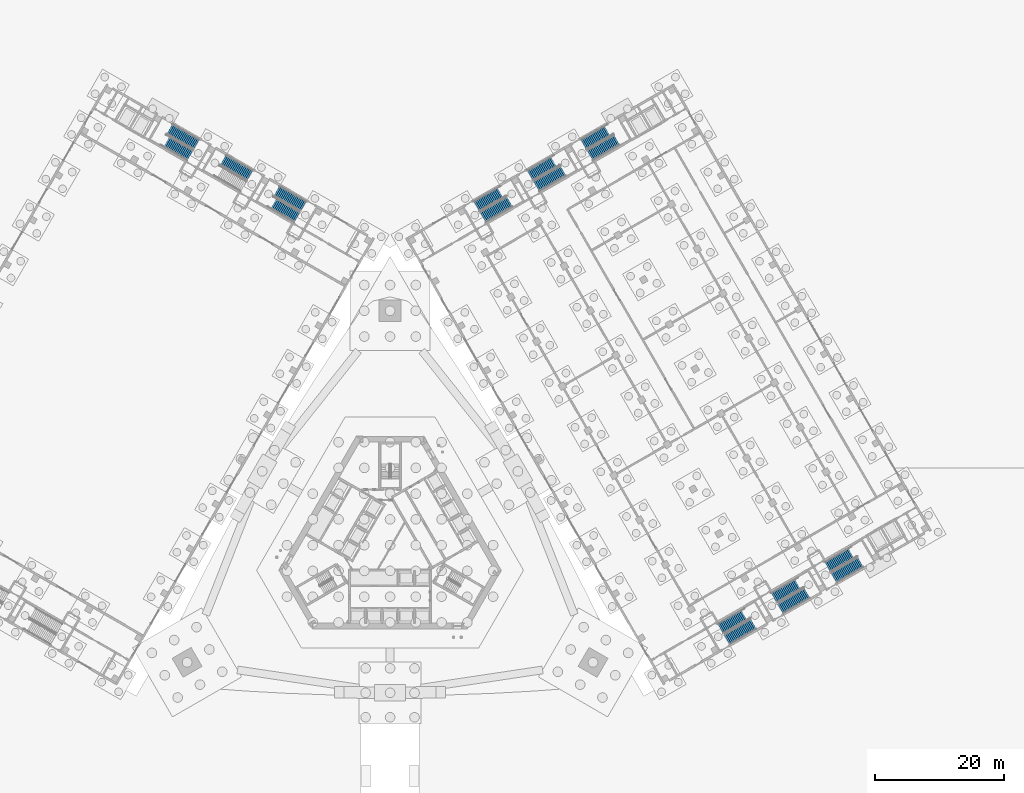
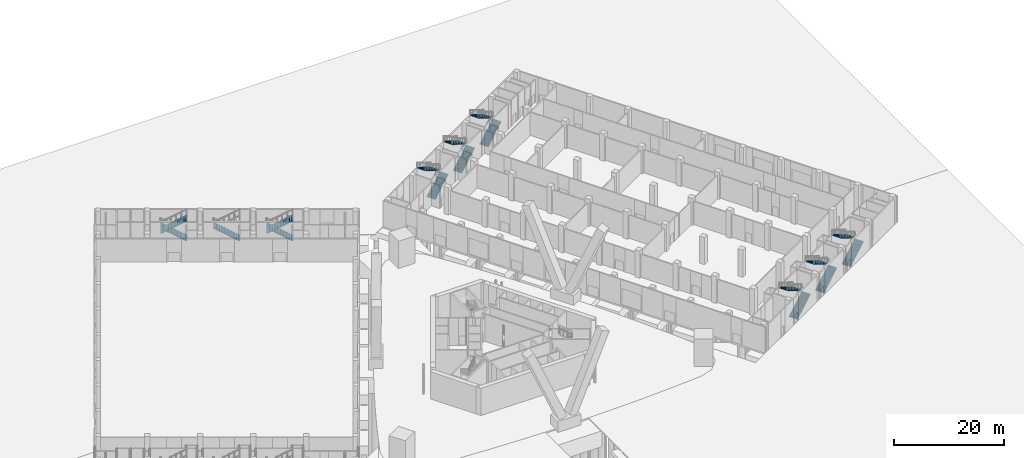
# One storey, part 27 of 38: 17 stair flights, 9 elements without a shape of their own.
"""IFC4 building model written with IfcOpenShell, lengths in metres."""

from ifc_helpers import new_model, si_unit, direction, frame, origin, place, context, subcontext, project, spatial, polyline, outline, extrude, material, type_object, element, aggregate, save


model = new_model("IFC4")

# Units and contexts
model_context = context("Model", 3, precision=1e-05, world=origin(), true_north=direction((0.0, 1.0)))
body_context = subcontext(model_context, "Body", "Model", "MODEL_VIEW")
ifc_project = project(units=[si_unit("LENGTHUNIT", "METRE"), si_unit("AREAUNIT", "SQUARE_METRE"), si_unit("VOLUMEUNIT", "CUBIC_METRE"), si_unit("PLANEANGLEUNIT", "RADIAN"), si_unit("MASSUNIT", "GRAM", prefix="KILO")], contexts=[model_context])

# Site, building, storey
site_placement = place(None, origin())
site = spatial("IfcSite", under=ifc_project, at=site_placement, CompositionType="ELEMENT")
building_placement = place(site_placement, origin())
building = spatial("IfcBuilding", under=site, at=building_placement, Name="Mestral Congress Tower", CompositionType="ELEMENT")
storey_placement = place(building_placement, origin())
storey = spatial("IfcBuildingStorey", under=building, at=storey_placement, Name="L00", CompositionType="ELEMENT", Elevation=0.0)

# Stair, stair flights
ifc_material = material(Name="Concrete C40/50", Category="concrete")
stair_type = type_object("IfcStairType", Name="Podium exit stair 1800", PredefinedType="HALF_TURN_STAIR", material=ifc_material)
placement = place(storey_placement, origin())
stair_1 = element("IfcStair", 1, at=placement, inside=storey, type_object=stair_type, Name="L00 Exit stair E1", PredefinedType="HALF_TURN_STAIR")
stair_flight_type = type_object("IfcStairFlightType", Name="Podium exit stair flight 1800", PredefinedType="STRAIGHT", material=ifc_material)
stair_flight_1_placement = place(storey_placement, frame((52.31494140625, -14.656005859375, 0.0), z_axis=(0.0, 0.0, 1.0), x_axis=(0.866025403784, 0.5, 0.0)))
stair_flight_1 = element("IfcStairFlight", 2, at=stair_flight_1_placement, type_object=stair_flight_type, Name="PS-E1 flight 1", NumberOfRisers=18, NumberOfTreads=17, PredefinedType="STRAIGHT", RiserHeight=0.166666667, TreadLength=0.28, context=body_context, shape_type="SweptSolid", body=[
    extrude(outline(polyline([(0.0, 0.0), (0.0, 0.166748046875), (0.280029296875, 0.166748046875), (0.280029296875, 0.333251953125), (0.56005859375, 0.333251953125), (0.56005859375, 0.5), (0.840087890625, 0.5), (0.840087890625, 0.666748046875), (1.1201171875, 0.666748046875), (1.1201171875, 0.833251953125), (1.39990234375, 0.833251953125), (1.39990234375, 1.0), (1.679931640625, 1.0), (1.679931640625, 1.166748046875), (1.9599609375, 1.166748046875), (1.9599609375, 1.333251953125), (2.239990234375, 1.333251953125), (2.239990234375, 1.5), (2.52001953125, 1.5), (2.52001953125, 1.666748046875), (2.800048828125, 1.666748046875), (2.800048828125, 1.833251953125), (3.080078125, 1.833251953125), (3.080078125, 2.0), (3.360107421875, 2.0), (3.360107421875, 2.166748046875), (3.639892578125, 2.166748046875), (3.639892578125, 2.333251953125), (3.919921875, 2.333251953125), (3.919921875, 2.5), (4.199951171875, 2.5), (4.199951171875, 2.666748046875), (4.47998046875, 2.666748046875), (4.47998046875, 2.833251953125), (4.760009765625, 2.833251953125), (4.760009765625, 3.0), (4.760009765625, 2.658935546875), (0.29296875, 0.0), (0.0, 0.0)])), frame((0.0, 0.89990234375, 0.0), z_axis=(0.0, -1.0, 0.0), x_axis=(1.0, 0.0, 0.0)), (0.0, 0.0, 1.0), 1.800048828125),
])
stair_flight_2_placement = place(storey_placement, frame((55.462158203125, -10.58740234375, 3.0), z_axis=(0.0, 0.0, 1.0), x_axis=(-0.866025403784, -0.5, 0.0)))
stair_flight_2 = element("IfcStairFlight", 3, at=stair_flight_2_placement, type_object=stair_flight_type, Name="PS-E1 flight 2", NumberOfRisers=18, NumberOfTreads=17, PredefinedType="STRAIGHT", RiserHeight=0.166666667, TreadLength=0.28, context=body_context, shape_type="SweptSolid", body=[
    extrude(outline(polyline([(0.0, 0.0), (0.0, 0.166748046875), (0.280029296875, 0.166748046875), (0.280029296875, 0.333251953125), (0.56005859375, 0.333251953125), (0.56005859375, 0.5), (0.840087890625, 0.5), (0.840087890625, 0.666748046875), (1.1201171875, 0.666748046875), (1.1201171875, 0.833251953125), (1.39990234375, 0.833251953125), (1.39990234375, 1.0), (1.679931640625, 1.0), (1.679931640625, 1.166748046875), (1.9599609375, 1.166748046875), (1.9599609375, 1.333251953125), (2.239990234375, 1.333251953125), (2.239990234375, 1.5), (2.52001953125, 1.5), (2.52001953125, 1.666748046875), (2.800048828125, 1.666748046875), (2.800048828125, 1.833251953125), (3.080078125, 1.833251953125), (3.080078125, 2.0), (3.360107421875, 2.0), (3.360107421875, 2.166748046875), (3.639892578125, 2.166748046875), (3.639892578125, 2.333251953125), (3.919921875, 2.333251953125), (3.919921875, 2.5), (4.199951171875, 2.5), (4.199951171875, 2.666748046875), (4.47998046875, 2.666748046875), (4.47998046875, 2.833251953125), (4.760009765625, 2.833251953125), (4.760009765625, 3.0), (4.760009765625, 2.658935546875), (0.29296875, 0.0), (0.0, 0.0)])), frame((0.0, 0.89990234375, 0.0), z_axis=(0.0, -1.0, 0.0), x_axis=(1.0, 0.0, 0.0)), (0.0, 0.0, 1.0), 1.800048828125),
])
aggregate(stair_1, [stair_flight_1, stair_flight_2])

stair_2 = element("IfcStair", 4, at=placement, inside=storey, type_object=stair_type, Name="L00 Exit stair E2", PredefinedType="HALF_TURN_STAIR")
stair_flight_3_placement = place(storey_placement, frame((60.628662109375, -9.85595703125, 0.0), z_axis=(0.0, 0.0, 1.0), x_axis=(0.866025403784, 0.5, 0.0)))
stair_flight_3 = element("IfcStairFlight", 5, at=stair_flight_3_placement, type_object=stair_flight_type, Name="PS-E2 flight 1", NumberOfRisers=18, NumberOfTreads=17, PredefinedType="STRAIGHT", RiserHeight=0.166666667, TreadLength=0.28, context=body_context, shape_type="SweptSolid", body=[
    extrude(outline(polyline([(0.0, 0.0), (0.0, 0.166748046875), (0.280029296875, 0.166748046875), (0.280029296875, 0.333251953125), (0.56005859375, 0.333251953125), (0.56005859375, 0.5), (0.840087890625, 0.5), (0.840087890625, 0.666748046875), (1.1201171875, 0.666748046875), (1.1201171875, 0.833251953125), (1.39990234375, 0.833251953125), (1.39990234375, 1.0), (1.679931640625, 1.0), (1.679931640625, 1.166748046875), (1.9599609375, 1.166748046875), (1.9599609375, 1.333251953125), (2.239990234375, 1.333251953125), (2.239990234375, 1.5), (2.52001953125, 1.5), (2.52001953125, 1.666748046875), (2.800048828125, 1.666748046875), (2.800048828125, 1.833251953125), (3.080078125, 1.833251953125), (3.080078125, 2.0), (3.360107421875, 2.0), (3.360107421875, 2.166748046875), (3.639892578125, 2.166748046875), (3.639892578125, 2.333251953125), (3.919921875, 2.333251953125), (3.919921875, 2.5), (4.199951171875, 2.5), (4.199951171875, 2.666748046875), (4.47998046875, 2.666748046875), (4.47998046875, 2.833251953125), (4.760009765625, 2.833251953125), (4.760009765625, 3.0), (4.760009765625, 2.658935546875), (0.29296875, 0.0), (0.0, 0.0)])), frame((0.0, 0.89990234375, 0.0), z_axis=(0.0, -1.0, 0.0), x_axis=(1.0, 0.0, 0.0)), (0.0, 0.0, 1.0), 1.800048828125),
])
stair_flight_4_placement = place(storey_placement, frame((63.776123046875, -5.787353515625, 3.0), z_axis=(0.0, 0.0, 1.0), x_axis=(-0.866025403784, -0.5, 0.0)))
stair_flight_4 = element("IfcStairFlight", 6, at=stair_flight_4_placement, type_object=stair_flight_type, Name="PS-E2 flight 2", NumberOfRisers=18, NumberOfTreads=17, PredefinedType="STRAIGHT", RiserHeight=0.166666667, TreadLength=0.28, context=body_context, shape_type="SweptSolid", body=[
    extrude(outline(polyline([(0.0, 0.0), (0.0, 0.166748046875), (0.280029296875, 0.166748046875), (0.280029296875, 0.333251953125), (0.56005859375, 0.333251953125), (0.56005859375, 0.5), (0.840087890625, 0.5), (0.840087890625, 0.666748046875), (1.1201171875, 0.666748046875), (1.1201171875, 0.833251953125), (1.39990234375, 0.833251953125), (1.39990234375, 1.0), (1.679931640625, 1.0), (1.679931640625, 1.166748046875), (1.9599609375, 1.166748046875), (1.9599609375, 1.333251953125), (2.239990234375, 1.333251953125), (2.239990234375, 1.5), (2.52001953125, 1.5), (2.52001953125, 1.666748046875), (2.800048828125, 1.666748046875), (2.800048828125, 1.833251953125), (3.080078125, 1.833251953125), (3.080078125, 2.0), (3.360107421875, 2.0), (3.360107421875, 2.166748046875), (3.639892578125, 2.166748046875), (3.639892578125, 2.333251953125), (3.919921875, 2.333251953125), (3.919921875, 2.5), (4.199951171875, 2.5), (4.199951171875, 2.666748046875), (4.47998046875, 2.666748046875), (4.47998046875, 2.833251953125), (4.760009765625, 2.833251953125), (4.760009765625, 3.0), (4.760009765625, 2.658935546875), (0.29296875, 0.0), (0.0, 0.0)])), frame((0.0, 0.89990234375, 0.0), z_axis=(0.0, -1.0, 0.0), x_axis=(1.0, 0.0, 0.0)), (0.0, 0.0, 1.0), 1.800048828125),
])
aggregate(stair_2, [stair_flight_3, stair_flight_4])

stair_3 = element("IfcStair", 7, at=placement, inside=storey, type_object=stair_type, Name="L00 Exit stair E3", PredefinedType="HALF_TURN_STAIR")
stair_flight_5_placement = place(storey_placement, frame((68.942626953125, -5.05615234375, 0.0), z_axis=(0.0, 0.0, 1.0), x_axis=(0.866025403784, 0.5, 0.0)))
stair_flight_5 = element("IfcStairFlight", 8, at=stair_flight_5_placement, type_object=stair_flight_type, Name="PS-E3 flight 1", NumberOfRisers=18, NumberOfTreads=17, PredefinedType="STRAIGHT", RiserHeight=0.166666667, TreadLength=0.28, context=body_context, shape_type="SweptSolid", body=[
    extrude(outline(polyline([(0.0, 0.0), (0.0, 0.166748046875), (0.280029296875, 0.166748046875), (0.280029296875, 0.333251953125), (0.56005859375, 0.333251953125), (0.56005859375, 0.5), (0.840087890625, 0.5), (0.840087890625, 0.666748046875), (1.1201171875, 0.666748046875), (1.1201171875, 0.833251953125), (1.39990234375, 0.833251953125), (1.39990234375, 1.0), (1.679931640625, 1.0), (1.679931640625, 1.166748046875), (1.9599609375, 1.166748046875), (1.9599609375, 1.333251953125), (2.239990234375, 1.333251953125), (2.239990234375, 1.5), (2.52001953125, 1.5), (2.52001953125, 1.666748046875), (2.800048828125, 1.666748046875), (2.800048828125, 1.833251953125), (3.080078125, 1.833251953125), (3.080078125, 2.0), (3.360107421875, 2.0), (3.360107421875, 2.166748046875), (3.639892578125, 2.166748046875), (3.639892578125, 2.333251953125), (3.919921875, 2.333251953125), (3.919921875, 2.5), (4.199951171875, 2.5), (4.199951171875, 2.666748046875), (4.47998046875, 2.666748046875), (4.47998046875, 2.833251953125), (4.760009765625, 2.833251953125), (4.760009765625, 3.0), (4.760009765625, 2.658935546875), (0.29296875, 0.0), (0.0, 0.0)])), frame((0.0, 0.89990234375, 0.0), z_axis=(0.0, -1.0, 0.0), x_axis=(1.0, 0.0, 0.0)), (0.0, 0.0, 1.0), 1.800048828125),
])
stair_flight_6_placement = place(storey_placement, frame((72.08984375, -0.9873046875, 3.0), z_axis=(0.0, 0.0, 1.0), x_axis=(-0.866025403784, -0.5, 0.0)))
stair_flight_6 = element("IfcStairFlight", 9, at=stair_flight_6_placement, type_object=stair_flight_type, Name="PS-E3 flight 2", NumberOfRisers=18, NumberOfTreads=17, PredefinedType="STRAIGHT", RiserHeight=0.166666667, TreadLength=0.28, context=body_context, shape_type="SweptSolid", body=[
    extrude(outline(polyline([(0.0, 0.0), (0.0, 0.166748046875), (0.280029296875, 0.166748046875), (0.280029296875, 0.333251953125), (0.56005859375, 0.333251953125), (0.56005859375, 0.5), (0.840087890625, 0.5), (0.840087890625, 0.666748046875), (1.1201171875, 0.666748046875), (1.1201171875, 0.833251953125), (1.39990234375, 0.833251953125), (1.39990234375, 1.0), (1.679931640625, 1.0), (1.679931640625, 1.166748046875), (1.9599609375, 1.166748046875), (1.9599609375, 1.333251953125), (2.239990234375, 1.333251953125), (2.239990234375, 1.5), (2.52001953125, 1.5), (2.52001953125, 1.666748046875), (2.800048828125, 1.666748046875), (2.800048828125, 1.833251953125), (3.080078125, 1.833251953125), (3.080078125, 2.0), (3.360107421875, 2.0), (3.360107421875, 2.166748046875), (3.639892578125, 2.166748046875), (3.639892578125, 2.333251953125), (3.919921875, 2.333251953125), (3.919921875, 2.5), (4.199951171875, 2.5), (4.199951171875, 2.666748046875), (4.47998046875, 2.666748046875), (4.47998046875, 2.833251953125), (4.760009765625, 2.833251953125), (4.760009765625, 3.0), (4.760009765625, 2.658935546875), (0.29296875, 0.0), (0.0, 0.0)])), frame((0.0, 0.89990234375, 0.0), z_axis=(0.0, -1.0, 0.0), x_axis=(1.0, 0.0, 0.0)), (0.0, 0.0, 1.0), 1.800048828125),
])
aggregate(stair_3, [stair_flight_5, stair_flight_6])

stair_4 = element("IfcStair", 10, at=placement, inside=storey, type_object=stair_type, Name="L00 Exit stair E4", PredefinedType="HALF_TURN_STAIR")
stair_flight_7_placement = place(storey_placement, frame((14.43994140625, 50.9453125, 0.0), z_axis=(0.0, 0.0, 1.0), x_axis=(0.866025403784, 0.5, 0.0)))
stair_flight_7 = element("IfcStairFlight", 11, at=stair_flight_7_placement, type_object=stair_flight_type, Name="PS-E4 flight 1", NumberOfRisers=18, NumberOfTreads=17, PredefinedType="STRAIGHT", RiserHeight=0.166666667, TreadLength=0.28, context=body_context, shape_type="SweptSolid", body=[
    extrude(outline(polyline([(0.0, 0.0), (0.0, 0.166748046875), (0.280029296875, 0.166748046875), (0.280029296875, 0.333251953125), (0.56005859375, 0.333251953125), (0.56005859375, 0.5), (0.840087890625, 0.5), (0.840087890625, 0.666748046875), (1.1201171875, 0.666748046875), (1.1201171875, 0.833251953125), (1.39990234375, 0.833251953125), (1.39990234375, 1.0), (1.679931640625, 1.0), (1.679931640625, 1.166748046875), (1.9599609375, 1.166748046875), (1.9599609375, 1.333251953125), (2.239990234375, 1.333251953125), (2.239990234375, 1.5), (2.52001953125, 1.5), (2.52001953125, 1.666748046875), (2.800048828125, 1.666748046875), (2.800048828125, 1.833251953125), (3.080078125, 1.833251953125), (3.080078125, 2.0), (3.360107421875, 2.0), (3.360107421875, 2.166748046875), (3.639892578125, 2.166748046875), (3.639892578125, 2.333251953125), (3.919921875, 2.333251953125), (3.919921875, 2.5), (4.199951171875, 2.5), (4.199951171875, 2.666748046875), (4.47998046875, 2.666748046875), (4.47998046875, 2.833251953125), (4.760009765625, 2.833251953125), (4.760009765625, 3.0), (4.760009765625, 2.658935546875), (0.29296875, 0.0), (0.0, 0.0)])), frame((0.0, 0.89990234375, 0.0), z_axis=(0.0, -1.0, 0.0), x_axis=(1.0, 0.0, 0.0)), (0.0, 0.0, 1.0), 1.800048828125),
])
stair_flight_8_placement = place(storey_placement, frame((17.587158203125, 55.01416015625, 3.0), z_axis=(0.0, 0.0, 1.0), x_axis=(-0.866025403784, -0.5, 0.0)))
stair_flight_8 = element("IfcStairFlight", 12, at=stair_flight_8_placement, type_object=stair_flight_type, Name="PS-E4 flight 2", NumberOfRisers=18, NumberOfTreads=17, PredefinedType="STRAIGHT", RiserHeight=0.166666667, TreadLength=0.28, context=body_context, shape_type="SweptSolid", body=[
    extrude(outline(polyline([(0.0, 0.0), (0.0, 0.166748046875), (0.280029296875, 0.166748046875), (0.280029296875, 0.333251953125), (0.56005859375, 0.333251953125), (0.56005859375, 0.5), (0.840087890625, 0.5), (0.840087890625, 0.666748046875), (1.1201171875, 0.666748046875), (1.1201171875, 0.833251953125), (1.39990234375, 0.833251953125), (1.39990234375, 1.0), (1.679931640625, 1.0), (1.679931640625, 1.166748046875), (1.9599609375, 1.166748046875), (1.9599609375, 1.333251953125), (2.239990234375, 1.333251953125), (2.239990234375, 1.5), (2.52001953125, 1.5), (2.52001953125, 1.666748046875), (2.800048828125, 1.666748046875), (2.800048828125, 1.833251953125), (3.080078125, 1.833251953125), (3.080078125, 2.0), (3.360107421875, 2.0), (3.360107421875, 2.166748046875), (3.639892578125, 2.166748046875), (3.639892578125, 2.333251953125), (3.919921875, 2.333251953125), (3.919921875, 2.5), (4.199951171875, 2.5), (4.199951171875, 2.666748046875), (4.47998046875, 2.666748046875), (4.47998046875, 2.833251953125), (4.760009765625, 2.833251953125), (4.760009765625, 3.0), (4.760009765625, 2.658935546875), (0.29296875, 0.0), (0.0, 0.0)])), frame((0.0, 0.89990234375, 0.0), z_axis=(0.0, -1.0, 0.0), x_axis=(1.0, 0.0, 0.0)), (0.0, 0.0, 1.0), 1.800048828125),
])
aggregate(stair_4, [stair_flight_7, stair_flight_8])

stair_5 = element("IfcStair", 13, at=placement, inside=storey, type_object=stair_type, Name="L00 Exit stair E5", PredefinedType="HALF_TURN_STAIR")
stair_flight_9_placement = place(storey_placement, frame((22.753662109375, 55.745361328125, 0.0), z_axis=(0.0, 0.0, 1.0), x_axis=(0.866025403784, 0.5, 0.0)))
stair_flight_9 = element("IfcStairFlight", 14, at=stair_flight_9_placement, type_object=stair_flight_type, Name="PS-E5 flight 1", NumberOfRisers=18, NumberOfTreads=17, PredefinedType="STRAIGHT", RiserHeight=0.166666667, TreadLength=0.28, context=body_context, shape_type="SweptSolid", body=[
    extrude(outline(polyline([(0.0, 0.0), (0.0, 0.166748046875), (0.280029296875, 0.166748046875), (0.280029296875, 0.333251953125), (0.56005859375, 0.333251953125), (0.56005859375, 0.5), (0.840087890625, 0.5), (0.840087890625, 0.666748046875), (1.1201171875, 0.666748046875), (1.1201171875, 0.833251953125), (1.39990234375, 0.833251953125), (1.39990234375, 1.0), (1.679931640625, 1.0), (1.679931640625, 1.166748046875), (1.9599609375, 1.166748046875), (1.9599609375, 1.333251953125), (2.239990234375, 1.333251953125), (2.239990234375, 1.5), (2.52001953125, 1.5), (2.52001953125, 1.666748046875), (2.800048828125, 1.666748046875), (2.800048828125, 1.833251953125), (3.080078125, 1.833251953125), (3.080078125, 2.0), (3.360107421875, 2.0), (3.360107421875, 2.166748046875), (3.639892578125, 2.166748046875), (3.639892578125, 2.333251953125), (3.919921875, 2.333251953125), (3.919921875, 2.5), (4.199951171875, 2.5), (4.199951171875, 2.666748046875), (4.47998046875, 2.666748046875), (4.47998046875, 2.833251953125), (4.760009765625, 2.833251953125), (4.760009765625, 3.0), (4.760009765625, 2.658935546875), (0.29296875, 0.0), (0.0, 0.0)])), frame((0.0, 0.89990234375, 0.0), z_axis=(0.0, -1.0, 0.0), x_axis=(1.0, 0.0, 0.0)), (0.0, 0.0, 1.0), 1.800048828125),
])
stair_flight_10_placement = place(storey_placement, frame((25.901123046875, 59.81396484375, 3.0), z_axis=(0.0, 0.0, 1.0), x_axis=(-0.866025403784, -0.5, 0.0)))
stair_flight_10 = element("IfcStairFlight", 15, at=stair_flight_10_placement, type_object=stair_flight_type, Name="PS-E5 flight 2", NumberOfRisers=18, NumberOfTreads=17, PredefinedType="STRAIGHT", RiserHeight=0.166666667, TreadLength=0.28, context=body_context, shape_type="SweptSolid", body=[
    extrude(outline(polyline([(0.0, 0.0), (0.0, 0.166748046875), (0.280029296875, 0.166748046875), (0.280029296875, 0.333251953125), (0.56005859375, 0.333251953125), (0.56005859375, 0.5), (0.840087890625, 0.5), (0.840087890625, 0.666748046875), (1.1201171875, 0.666748046875), (1.1201171875, 0.833251953125), (1.39990234375, 0.833251953125), (1.39990234375, 1.0), (1.679931640625, 1.0), (1.679931640625, 1.166748046875), (1.9599609375, 1.166748046875), (1.9599609375, 1.333251953125), (2.239990234375, 1.333251953125), (2.239990234375, 1.5), (2.52001953125, 1.5), (2.52001953125, 1.666748046875), (2.800048828125, 1.666748046875), (2.800048828125, 1.833251953125), (3.080078125, 1.833251953125), (3.080078125, 2.0), (3.360107421875, 2.0), (3.360107421875, 2.166748046875), (3.639892578125, 2.166748046875), (3.639892578125, 2.333251953125), (3.919921875, 2.333251953125), (3.919921875, 2.5), (4.199951171875, 2.5), (4.199951171875, 2.666748046875), (4.47998046875, 2.666748046875), (4.47998046875, 2.833251953125), (4.760009765625, 2.833251953125), (4.760009765625, 3.0), (4.760009765625, 2.658935546875), (0.29296875, 0.0), (0.0, 0.0)])), frame((0.0, 0.89990234375, 0.0), z_axis=(0.0, -1.0, 0.0), x_axis=(1.0, 0.0, 0.0)), (0.0, 0.0, 1.0), 1.800048828125),
])
aggregate(stair_5, [stair_flight_9, stair_flight_10])

stair_6 = element("IfcStair", 16, at=placement, inside=storey, type_object=stair_type, Name="L00 Exit stair E6", PredefinedType="HALF_TURN_STAIR")
stair_flight_11_placement = place(storey_placement, frame((31.067626953125, 60.54541015625, 0.0), z_axis=(0.0, 0.0, 1.0), x_axis=(0.866025403784, 0.5, 0.0)))
stair_flight_11 = element("IfcStairFlight", 17, at=stair_flight_11_placement, type_object=stair_flight_type, Name="PS-E6 flight 1", NumberOfRisers=18, NumberOfTreads=17, PredefinedType="STRAIGHT", RiserHeight=0.166666667, TreadLength=0.28, context=body_context, shape_type="SweptSolid", body=[
    extrude(outline(polyline([(0.0, 0.0), (0.0, 0.166748046875), (0.280029296875, 0.166748046875), (0.280029296875, 0.333251953125), (0.56005859375, 0.333251953125), (0.56005859375, 0.5), (0.840087890625, 0.5), (0.840087890625, 0.666748046875), (1.1201171875, 0.666748046875), (1.1201171875, 0.833251953125), (1.39990234375, 0.833251953125), (1.39990234375, 1.0), (1.679931640625, 1.0), (1.679931640625, 1.166748046875), (1.9599609375, 1.166748046875), (1.9599609375, 1.333251953125), (2.239990234375, 1.333251953125), (2.239990234375, 1.5), (2.52001953125, 1.5), (2.52001953125, 1.666748046875), (2.800048828125, 1.666748046875), (2.800048828125, 1.833251953125), (3.080078125, 1.833251953125), (3.080078125, 2.0), (3.360107421875, 2.0), (3.360107421875, 2.166748046875), (3.639892578125, 2.166748046875), (3.639892578125, 2.333251953125), (3.919921875, 2.333251953125), (3.919921875, 2.5), (4.199951171875, 2.5), (4.199951171875, 2.666748046875), (4.47998046875, 2.666748046875), (4.47998046875, 2.833251953125), (4.760009765625, 2.833251953125), (4.760009765625, 3.0), (4.760009765625, 2.658935546875), (0.29296875, 0.0), (0.0, 0.0)])), frame((0.0, 0.89990234375, 0.0), z_axis=(0.0, -1.0, 0.0), x_axis=(1.0, 0.0, 0.0)), (0.0, 0.0, 1.0), 1.800048828125),
])
stair_flight_12_placement = place(storey_placement, frame((34.21484375, 64.614013671875, 3.0), z_axis=(0.0, 0.0, 1.0), x_axis=(-0.866025403784, -0.5, 0.0)))
stair_flight_12 = element("IfcStairFlight", 18, at=stair_flight_12_placement, type_object=stair_flight_type, Name="PS-E6 flight 2", NumberOfRisers=18, NumberOfTreads=17, PredefinedType="STRAIGHT", RiserHeight=0.166666667, TreadLength=0.28, context=body_context, shape_type="SweptSolid", body=[
    extrude(outline(polyline([(0.0, 0.0), (0.0, 0.166748046875), (0.280029296875, 0.166748046875), (0.280029296875, 0.333251953125), (0.56005859375, 0.333251953125), (0.56005859375, 0.5), (0.840087890625, 0.5), (0.840087890625, 0.666748046875), (1.1201171875, 0.666748046875), (1.1201171875, 0.833251953125), (1.39990234375, 0.833251953125), (1.39990234375, 1.0), (1.679931640625, 1.0), (1.679931640625, 1.166748046875), (1.9599609375, 1.166748046875), (1.9599609375, 1.333251953125), (2.239990234375, 1.333251953125), (2.239990234375, 1.5), (2.52001953125, 1.5), (2.52001953125, 1.666748046875), (2.800048828125, 1.666748046875), (2.800048828125, 1.833251953125), (3.080078125, 1.833251953125), (3.080078125, 2.0), (3.360107421875, 2.0), (3.360107421875, 2.166748046875), (3.639892578125, 2.166748046875), (3.639892578125, 2.333251953125), (3.919921875, 2.333251953125), (3.919921875, 2.5), (4.199951171875, 2.5), (4.199951171875, 2.666748046875), (4.47998046875, 2.666748046875), (4.47998046875, 2.833251953125), (4.760009765625, 2.833251953125), (4.760009765625, 3.0), (4.760009765625, 2.658935546875), (0.29296875, 0.0), (0.0, 0.0)])), frame((0.0, 0.89990234375, 0.0), z_axis=(0.0, -1.0, 0.0), x_axis=(1.0, 0.0, 0.0)), (0.0, 0.0, 1.0), 1.800048828125),
])
aggregate(stair_6, [stair_flight_11, stair_flight_12])

stair_7 = element("IfcStair", 19, at=placement, inside=storey, type_object=stair_type, Name="L00 Exit stair W1", PredefinedType="HALF_TURN_STAIR")
stair_flight_13_placement = place(storey_placement, frame((-13.46484375, 52.634033203125, 0.0), z_axis=(0.0, 0.0, 1.0), x_axis=(-0.866025403784, 0.5, 0.0)))
stair_flight_13 = element("IfcStairFlight", 20, at=stair_flight_13_placement, type_object=stair_flight_type, Name="PS-W1 flight 1", NumberOfRisers=18, NumberOfTreads=17, PredefinedType="STRAIGHT", RiserHeight=0.166666667, TreadLength=0.28, context=body_context, shape_type="SweptSolid", body=[
    extrude(outline(polyline([(0.0, 0.0), (0.0, 0.166748046875), (0.280029296875, 0.166748046875), (0.280029296875, 0.333251953125), (0.56005859375, 0.333251953125), (0.56005859375, 0.5), (0.840087890625, 0.5), (0.840087890625, 0.666748046875), (1.1201171875, 0.666748046875), (1.1201171875, 0.833251953125), (1.39990234375, 0.833251953125), (1.39990234375, 1.0), (1.679931640625, 1.0), (1.679931640625, 1.166748046875), (1.9599609375, 1.166748046875), (1.9599609375, 1.333251953125), (2.239990234375, 1.333251953125), (2.239990234375, 1.5), (2.52001953125, 1.5), (2.52001953125, 1.666748046875), (2.800048828125, 1.666748046875), (2.800048828125, 1.833251953125), (3.080078125, 1.833251953125), (3.080078125, 2.0), (3.360107421875, 2.0), (3.360107421875, 2.166748046875), (3.639892578125, 2.166748046875), (3.639892578125, 2.333251953125), (3.919921875, 2.333251953125), (3.919921875, 2.5), (4.199951171875, 2.5), (4.199951171875, 2.666748046875), (4.47998046875, 2.666748046875), (4.47998046875, 2.833251953125), (4.760009765625, 2.833251953125), (4.760009765625, 3.0), (4.760009765625, 2.658935546875), (0.29296875, 0.0), (0.0, 0.0)])), frame((0.0, 0.89990234375, 0.0), z_axis=(0.0, -1.0, 0.0), x_axis=(1.0, 0.0, 0.0)), (0.0, 0.0, 1.0), 1.800048828125),
])
stair_flight_14_placement = place(storey_placement, frame((-18.562255859375, 53.325439453125, 3.0), z_axis=(0.0, 0.0, 1.0), x_axis=(0.866025403784, -0.5, 0.0)))
stair_flight_14 = element("IfcStairFlight", 21, at=stair_flight_14_placement, type_object=stair_flight_type, Name="PS-W1 flight 2", NumberOfRisers=18, NumberOfTreads=17, PredefinedType="STRAIGHT", RiserHeight=0.166666667, TreadLength=0.28, context=body_context, shape_type="SweptSolid", body=[
    extrude(outline(polyline([(0.0, 0.0), (0.0, 0.166748046875), (0.280029296875, 0.166748046875), (0.280029296875, 0.333251953125), (0.56005859375, 0.333251953125), (0.56005859375, 0.5), (0.840087890625, 0.5), (0.840087890625, 0.666748046875), (1.1201171875, 0.666748046875), (1.1201171875, 0.833251953125), (1.39990234375, 0.833251953125), (1.39990234375, 1.0), (1.679931640625, 1.0), (1.679931640625, 1.166748046875), (1.9599609375, 1.166748046875), (1.9599609375, 1.333251953125), (2.239990234375, 1.333251953125), (2.239990234375, 1.5), (2.52001953125, 1.5), (2.52001953125, 1.666748046875), (2.800048828125, 1.666748046875), (2.800048828125, 1.833251953125), (3.080078125, 1.833251953125), (3.080078125, 2.0), (3.360107421875, 2.0), (3.360107421875, 2.166748046875), (3.639892578125, 2.166748046875), (3.639892578125, 2.333251953125), (3.919921875, 2.333251953125), (3.919921875, 2.5), (4.199951171875, 2.5), (4.199951171875, 2.666748046875), (4.47998046875, 2.666748046875), (4.47998046875, 2.833251953125), (4.760009765625, 2.833251953125), (4.760009765625, 3.0), (4.760009765625, 2.658935546875), (0.29296875, 0.0), (0.0, 0.0)])), frame((0.0, 0.89990234375, 0.0), z_axis=(0.0, -1.0, 0.0), x_axis=(1.0, 0.0, 0.0)), (0.0, 0.0, 1.0), 1.800048828125),
])
aggregate(stair_7, [stair_flight_13, stair_flight_14])

# Stair, stair flight
stair_8 = element("IfcStair", 22, at=placement, inside=storey, type_object=stair_type, Name="L00 Exit stair W2", PredefinedType="HALF_TURN_STAIR")
stair_flight_15_placement = place(storey_placement, frame((-21.77880859375, 57.43408203125, 0.0), z_axis=(0.0, 0.0, 1.0), x_axis=(-0.866025403784, 0.5, 0.0)))
stair_flight_15 = element("IfcStairFlight", 23, at=stair_flight_15_placement, type_object=stair_flight_type, Name="PS-W2 flight 1", NumberOfRisers=18, NumberOfTreads=17, PredefinedType="STRAIGHT", RiserHeight=0.166666667, TreadLength=0.28, context=body_context, shape_type="SweptSolid", body=[
    extrude(outline(polyline([(0.0, 0.0), (0.0, 0.166748046875), (0.280029296875, 0.166748046875), (0.280029296875, 0.333251953125), (0.56005859375, 0.333251953125), (0.56005859375, 0.5), (0.840087890625, 0.5), (0.840087890625, 0.666748046875), (1.1201171875, 0.666748046875), (1.1201171875, 0.833251953125), (1.39990234375, 0.833251953125), (1.39990234375, 1.0), (1.679931640625, 1.0), (1.679931640625, 1.166748046875), (1.9599609375, 1.166748046875), (1.9599609375, 1.333251953125), (2.239990234375, 1.333251953125), (2.239990234375, 1.5), (2.52001953125, 1.5), (2.52001953125, 1.666748046875), (2.800048828125, 1.666748046875), (2.800048828125, 1.833251953125), (3.080078125, 1.833251953125), (3.080078125, 2.0), (3.360107421875, 2.0), (3.360107421875, 2.166748046875), (3.639892578125, 2.166748046875), (3.639892578125, 2.333251953125), (3.919921875, 2.333251953125), (3.919921875, 2.5), (4.199951171875, 2.5), (4.199951171875, 2.666748046875), (4.47998046875, 2.666748046875), (4.47998046875, 2.833251953125), (4.760009765625, 2.833251953125), (4.760009765625, 3.0), (4.760009765625, 2.658935546875), (0.29296875, 0.0), (0.0, 0.0)])), frame((0.0, 0.89990234375, 0.0), z_axis=(0.0, -1.0, 0.0), x_axis=(1.0, 0.0, 0.0)), (0.0, 0.0, 1.0), 1.800048828125),
])
aggregate(stair_8, [stair_flight_15])

# Stair, stair flights
stair_9 = element("IfcStair", 24, at=placement, inside=storey, type_object=stair_type, Name="L00 Exit stair W3", PredefinedType="HALF_TURN_STAIR")
stair_flight_16_placement = place(storey_placement, frame((-30.092529296875, 62.234130859375, 0.0), z_axis=(0.0, 0.0, 1.0), x_axis=(-0.866025403784, 0.5, 0.0)))
stair_flight_16 = element("IfcStairFlight", 25, at=stair_flight_16_placement, type_object=stair_flight_type, Name="PS-W3 flight 1", NumberOfRisers=18, NumberOfTreads=17, PredefinedType="STRAIGHT", RiserHeight=0.166666667, TreadLength=0.28, context=body_context, shape_type="SweptSolid", body=[
    extrude(outline(polyline([(0.0, 0.0), (0.0, 0.166748046875), (0.280029296875, 0.166748046875), (0.280029296875, 0.333251953125), (0.56005859375, 0.333251953125), (0.56005859375, 0.5), (0.840087890625, 0.5), (0.840087890625, 0.666748046875), (1.1201171875, 0.666748046875), (1.1201171875, 0.833251953125), (1.39990234375, 0.833251953125), (1.39990234375, 1.0), (1.679931640625, 1.0), (1.679931640625, 1.166748046875), (1.9599609375, 1.166748046875), (1.9599609375, 1.333251953125), (2.239990234375, 1.333251953125), (2.239990234375, 1.5), (2.52001953125, 1.5), (2.52001953125, 1.666748046875), (2.800048828125, 1.666748046875), (2.800048828125, 1.833251953125), (3.080078125, 1.833251953125), (3.080078125, 2.0), (3.360107421875, 2.0), (3.360107421875, 2.166748046875), (3.639892578125, 2.166748046875), (3.639892578125, 2.333251953125), (3.919921875, 2.333251953125), (3.919921875, 2.5), (4.199951171875, 2.5), (4.199951171875, 2.666748046875), (4.47998046875, 2.666748046875), (4.47998046875, 2.833251953125), (4.760009765625, 2.833251953125), (4.760009765625, 3.0), (4.760009765625, 2.658935546875), (0.29296875, 0.0), (0.0, 0.0)])), frame((0.0, 0.89990234375, 0.0), z_axis=(0.0, -1.0, 0.0), x_axis=(1.0, 0.0, 0.0)), (0.0, 0.0, 1.0), 1.800048828125),
])
stair_flight_17_placement = place(storey_placement, frame((-35.18994140625, 62.92529296875, 3.0), z_axis=(0.0, 0.0, 1.0), x_axis=(0.866025403784, -0.5, 0.0)))
stair_flight_17 = element("IfcStairFlight", 26, at=stair_flight_17_placement, type_object=stair_flight_type, Name="PS-W3 flight 2", NumberOfRisers=18, NumberOfTreads=17, PredefinedType="STRAIGHT", RiserHeight=0.166666667, TreadLength=0.28, context=body_context, shape_type="SweptSolid", body=[
    extrude(outline(polyline([(0.0, 0.0), (0.0, 0.166748046875), (0.280029296875, 0.166748046875), (0.280029296875, 0.333251953125), (0.56005859375, 0.333251953125), (0.56005859375, 0.5), (0.840087890625, 0.5), (0.840087890625, 0.666748046875), (1.1201171875, 0.666748046875), (1.1201171875, 0.833251953125), (1.39990234375, 0.833251953125), (1.39990234375, 1.0), (1.679931640625, 1.0), (1.679931640625, 1.166748046875), (1.9599609375, 1.166748046875), (1.9599609375, 1.333251953125), (2.239990234375, 1.333251953125), (2.239990234375, 1.5), (2.52001953125, 1.5), (2.52001953125, 1.666748046875), (2.800048828125, 1.666748046875), (2.800048828125, 1.833251953125), (3.080078125, 1.833251953125), (3.080078125, 2.0), (3.360107421875, 2.0), (3.360107421875, 2.166748046875), (3.639892578125, 2.166748046875), (3.639892578125, 2.333251953125), (3.919921875, 2.333251953125), (3.919921875, 2.5), (4.199951171875, 2.5), (4.199951171875, 2.666748046875), (4.47998046875, 2.666748046875), (4.47998046875, 2.833251953125), (4.760009765625, 2.833251953125), (4.760009765625, 3.0), (4.760009765625, 2.658935546875), (0.29296875, 0.0), (0.0, 0.0)])), frame((0.0, 0.89990234375, 0.0), z_axis=(0.0, -1.0, 0.0), x_axis=(1.0, 0.0, 0.0)), (0.0, 0.0, 1.0), 1.800048828125),
])
aggregate(stair_9, [stair_flight_16, stair_flight_17])

save(model, "model.ifc")
